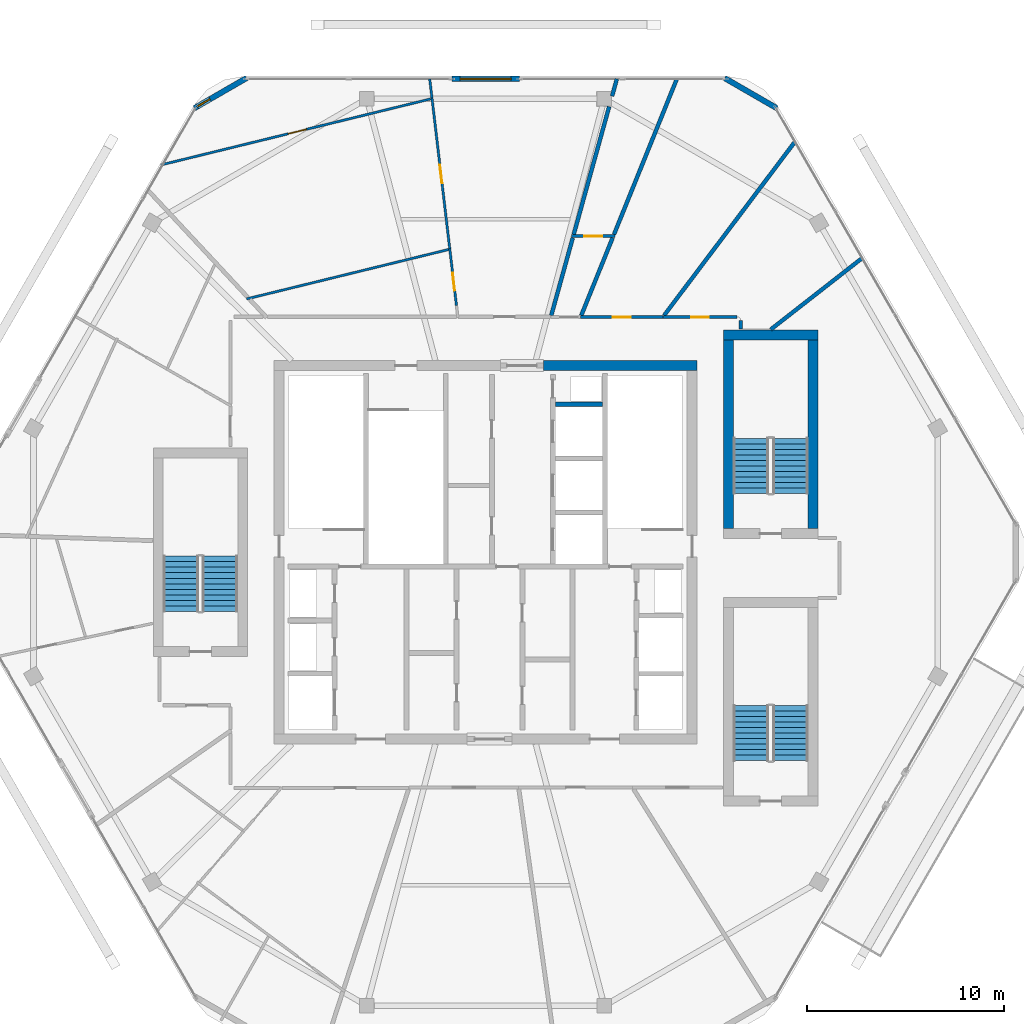
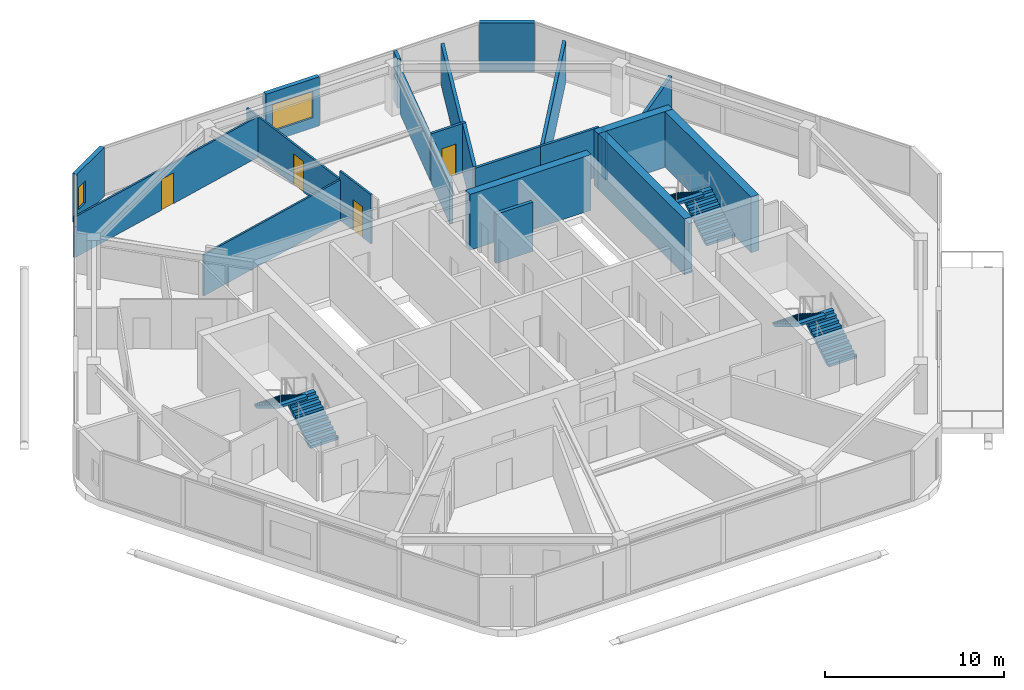
# One storey, part 19 of 22: 24 walls, 6 doors, 6 stair flights, 2 windows, 8 openings, 3 elements without a shape of their own.
"""IFC4 building model written with IfcOpenShell, lengths in metres."""

from ifc_helpers import new_model, si_unit, direction, frame, frame_2d, origin, place, context, subcontext, project, spatial, polyline, rectangle, outline, extrude, material, layer, layer_set, type_object, element, fill, aggregate, save


model = new_model("IFC4")

# Units and contexts
model_context = context("Model", 3, precision=1e-05, world=origin(), true_north=direction((0.0, 1.0)))
body_context = subcontext(model_context, "Body", "Model", "MODEL_VIEW")
ifc_project = project(units=[si_unit("LENGTHUNIT", "METRE"), si_unit("AREAUNIT", "SQUARE_METRE"), si_unit("VOLUMEUNIT", "CUBIC_METRE"), si_unit("PLANEANGLEUNIT", "RADIAN"), si_unit("MASSUNIT", "GRAM", prefix="KILO")], contexts=[model_context])

# Site, building, storey
site_placement = place(None, origin())
site = spatial("IfcSite", under=ifc_project, at=site_placement, CompositionType="ELEMENT")
building_placement = place(site_placement, origin())
building = spatial("IfcBuilding", under=site, at=building_placement, Name="Zuhravey Tower", CompositionType="ELEMENT")
storey_placement = place(building_placement, frame((0.0, 0.0, 357.60009765625)))
storey = spatial("IfcBuildingStorey", under=building, at=storey_placement, Name="L91", CompositionType="ELEMENT", Elevation=357.60009765625)

# Walls
ifc_material_1 = material(Name="Concrete C50/60", Category="concrete")
ifc_layer_1 = layer(ifc_material_1, 0.5)
ifc_layer_set_1 = layer_set([ifc_layer_1], Name="Concrete C50/60")
wall_type_1 = type_object("IfcWallType", Name="Core Shear Wall 500", PredefinedType="SHEAR", material=ifc_layer_set_1)
wall_1_placement = place(storey_placement, frame((46.75, 41.5, 0.0), z_axis=(0.0, 0.0, 1.0), x_axis=(-1.0, 0.0, 0.0)))
element("IfcWall", 1, at=wall_1_placement, inside=storey, type_object=wall_type_1, Name="L91 North-East Core Shear Wall CW50", PredefinedType="SHEAR", context=body_context, shape_type="SweptSolid", body=[
    extrude(rectangle(XDim=7.800048828125, YDim=0.5, at=frame_2d((3.89990234375, 0.0))), origin(), (0.0, 0.0, 1.0), 3.7998046875),
])
wall_2_placement = place(storey_placement, frame((52.89990234375, 43.050048828125, 0.0), z_axis=(0.0, 0.0, 1.0), x_axis=(-1.0, 0.0, 0.0)))
element("IfcWall", 2, at=wall_2_placement, inside=storey, type_object=wall_type_1, Name="L91 CST3 North Shaft Wall", PredefinedType="SHEAR", context=body_context, shape_type="SweptSolid", body=[
    extrude(rectangle(XDim=4.7998046875, YDim=0.5, at=frame_2d((2.39990234375, 0.0))), origin(), (0.0, 0.0, 1.0), 3.7998046875),
])
for number, where, z_axis, x_axis, name in (
    (3, (48.35009765625, 33.199951171875, 0.0), (0.0, 0.0, 1.0), (0.0, 1.0, 0.0), "L91 CST3 West Shaft Wall"),
    (4, (52.64990234375, 42.800048828125, 0.0), (0.0, 0.0, 1.0), (0.0, -1.0, 0.0), "L91 CST3 East Shaft Wall"),
):
    element("IfcWall", number, at=place(storey_placement, frame(where, z_axis=z_axis, x_axis=x_axis)), inside=storey, type_object=wall_type_1, Name=name, PredefinedType="SHEAR", context=body_context, shape_type="SweptSolid", body=[
        extrude(rectangle(XDim=9.60009765625, YDim=0.5, at=frame_2d((4.800048828125, 0.0))), origin(), (0.0, 0.0, 1.0), 3.7998046875),
    ])

# Wall, opening, door
ifc_material_2 = material(Name="Gypsum fire-rated stud partition")
ifc_layer_2 = layer(ifc_material_2, 0.159912109375)
ifc_layer_set_2 = layer_set([ifc_layer_2], Name="Gypsum fire-rated stud partition")
wall_type_2 = type_object("IfcWallType", Name="Corridor Fire Partition 160", PredefinedType="PARTITIONING", material=ifc_layer_set_2)
wall_3_placement = place(storey_placement, frame((48.800048828125, 43.9599609375, 0.0), z_axis=(0.0, 0.0, 1.0), x_axis=(-1.0, 0.0, 0.0)))
wall_3 = element("IfcWall", 5, at=wall_3_placement, inside=storey, type_object=wall_type_2, Name="L91 IW16 Partition 022", PredefinedType="PARTITIONING", context=body_context, shape_type="SweptSolid", body=[
    extrude(rectangle(XDim=3.78759765625, YDim=0.159912109375, at=frame_2d((1.893798828125, 0.0))), origin(), (0.0, 0.0, 1.0), 3.349853515625),
])
opening_1_placement = place(wall_3_placement, frame((1.443603515625, 0.0, 0.0)))
opening_1 = element("IfcOpeningElement", 6, at=opening_1_placement, cuts=wall_3, Name="Opening RSD1", PredefinedType="OPENING", context=body_context, shape_type="SweptSolid", body=[
    extrude(rectangle(XDim=0.89990234375, YDim=2.10009765625, at=frame_2d((0.449951171875, 1.050048828125))), frame((0.0, 0.092041015625, 0.0), z_axis=(0.0, -1.0, 0.0), x_axis=(1.0, 0.0, 0.0)), (0.0, 0.0, 1.0), 0.183837890625),
])
ifc_material_3 = material(Name="Galvanised fire-rated steel access leaf", Category="steel")
door_type_1 = type_object("IfcDoorType", Name="Riser & Shaft Access Fire Door 900x2100", OperationType="NOTDEFINED", PredefinedType="DOOR", material=ifc_material_3)
door_1_placement = place(opening_1_placement, frame((0.89990234375, 0.0, 0.0), z_axis=(0.0, 0.0, 1.0), x_axis=(-1.0, 0.0, 0.0)))
door_1 = element("IfcDoor", 7, at=door_1_placement, inside=storey, type_object=door_type_1, Name="L91 Door 022.1", OperationType="SINGLE_SWING_RIGHT", OverallHeight=2.10009765625, OverallWidth=0.89990234375, PredefinedType="DOOR", context=body_context, shape_type="SweptSolid", body=[
    extrude(rectangle(XDim=0.89990234375, YDim=2.10009765625, at=frame_2d((0.449951171875, 1.050048828125))), frame((0.0, 0.02490234375, 0.0), z_axis=(0.0, -1.0, 0.0), x_axis=(1.0, 0.0, 0.0)), (0.0, 0.0, 1.0), 0.050048828125),
])
fill(opening_1, door_1)

wall_4_placement = place(storey_placement, frame((45.012451171875, 43.9599609375, 0.0), z_axis=(0.0, 0.0, 1.0), x_axis=(-1.0, 0.0, 0.0)))
wall_4 = element("IfcWall", 8, at=wall_4_placement, inside=storey, type_object=wall_type_2, Name="L91 IW16 Partition 023", PredefinedType="PARTITIONING", context=body_context, shape_type="SweptSolid", body=[
    extrude(rectangle(XDim=4.18017578125, YDim=0.159912109375, at=frame_2d((2.090087890625, 0.0))), origin(), (0.0, 0.0, 1.0), 3.349853515625),
])
opening_2_placement = place(wall_4_placement, frame((1.64013671875, 0.0, 0.0)))
opening_2 = element("IfcOpeningElement", 9, at=opening_2_placement, cuts=wall_4, Name="Opening RSD1", PredefinedType="OPENING", context=body_context, shape_type="SweptSolid", body=[
    extrude(rectangle(XDim=0.89990234375, YDim=2.10009765625, at=frame_2d((0.449951171875, 1.050048828125))), frame((0.0, 0.092041015625, 0.0), z_axis=(0.0, -1.0, 0.0), x_axis=(1.0, 0.0, 0.0)), (0.0, 0.0, 1.0), 0.183837890625),
])
door_2_placement = place(opening_2_placement, frame((0.89990234375, 0.0, 0.0), z_axis=(0.0, 0.0, 1.0), x_axis=(-1.0, 0.0, 0.0)))
door_2 = element("IfcDoor", 10, at=door_2_placement, inside=storey, type_object=door_type_1, Name="L91 Door 023.1", OperationType="SINGLE_SWING_LEFT", OverallHeight=2.10009765625, OverallWidth=0.89990234375, PredefinedType="DOOR", context=body_context, shape_type="SweptSolid", body=[
    extrude(rectangle(XDim=0.89990234375, YDim=2.10009765625, at=frame_2d((0.449951171875, 1.050048828125))), frame((0.0, 0.02490234375, 0.0), z_axis=(0.0, -1.0, 0.0), x_axis=(1.0, 0.0, 0.0)), (0.0, 0.0, 1.0), 0.050048828125),
])
fill(opening_2, door_2)

wall_5_placement = place(storey_placement, frame((40.37646484375, 48.080078125, 0.0), z_axis=(0.0, 0.0, 1.0), x_axis=(1.0, 0.0, 0.0)))
wall_5 = element("IfcWall", 11, at=wall_5_placement, inside=storey, type_object=wall_type_2, Name="L91 IW16 Partition 024", PredefinedType="PARTITIONING", context=body_context, shape_type="SweptSolid", body=[
    extrude(rectangle(XDim=2.20654296875, YDim=0.159912109375, at=frame_2d((1.103271484375, 0.0))), origin(), (0.0, 0.0, 1.0), 3.349853515625),
])
opening_3_placement = place(wall_5_placement, frame((0.6533203125, 0.0, 0.0)))
opening_3 = element("IfcOpeningElement", 12, at=opening_3_placement, cuts=wall_5, Name="Opening RSD1", PredefinedType="OPENING", context=body_context, shape_type="SweptSolid", body=[
    extrude(rectangle(XDim=0.89990234375, YDim=2.10009765625, at=frame_2d((0.449951171875, 1.050048828125))), frame((0.0, 0.092041015625, 0.0), z_axis=(0.0, -1.0, 0.0), x_axis=(1.0, 0.0, 0.0)), (0.0, 0.0, 1.0), 0.183837890625),
])
door_3_placement = place(opening_3_placement, origin())
door_3 = element("IfcDoor", 13, at=door_3_placement, inside=storey, type_object=door_type_1, Name="L91 Door 024.1", OperationType="SINGLE_SWING_RIGHT", OverallHeight=2.10009765625, OverallWidth=0.89990234375, PredefinedType="DOOR", context=body_context, shape_type="SweptSolid", body=[
    extrude(rectangle(XDim=0.89990234375, YDim=2.10009765625, at=frame_2d((0.449951171875, 1.050048828125))), frame((0.0, 0.02490234375, 0.0), z_axis=(0.0, -1.0, 0.0), x_axis=(1.0, 0.0, 0.0)), (0.0, 0.0, 1.0), 0.050048828125),
])
fill(opening_3, door_3)

# Wall
wall_6_placement = place(storey_placement, frame((48.97998046875, 43.3701171875, 0.0), z_axis=(0.0, 0.0, 1.0), x_axis=(0.0, 1.0, 0.0)))
element("IfcWall", 14, at=wall_6_placement, inside=storey, type_object=wall_type_2, Name="L91 IW16 Partition 077", PredefinedType="PARTITIONING", context=body_context, shape_type="SweptSolid", body=[
    extrude(rectangle(XDim=0.429931640625, YDim=0.159912109375, at=frame_2d((0.21484375, 0.0))), origin(), (0.0, 0.0, 1.0), 3.349853515625),
])

# Wall, opening, window
ifc_material_4 = material(Name="Precast concrete C40/50", Category="concrete")
ifc_layer_3 = layer(ifc_material_4, 0.280029296875)
ifc_layer_set_3 = layer_set([ifc_layer_3], Name="Precast concrete C40/50")
wall_type_3 = type_object("IfcWallType", Name="Crown Architectural Wall 280", PredefinedType="SOLIDWALL", material=ifc_layer_set_3)
wall_7_placement = place(storey_placement, frame((21.188720703125, 54.589111328125, 0.0), z_axis=(0.0, 0.0, 1.0), x_axis=(0.866023752521, 0.50000286006, 0.0)))
wall_7 = element("IfcWall", 15, at=wall_7_placement, inside=storey, type_object=wall_type_3, Name="L91 Rounded Corner Closure Wall EW28-08", PredefinedType="SOLIDWALL", context=body_context, shape_type="SweptSolid", body=[
    extrude(rectangle(XDim=3.06494140625, YDim=0.280029296875, at=frame_2d((1.532470703125, 0.0))), origin(), (0.0, 0.0, 1.0), 3.349853515625),
])
opening_4_placement = place(wall_7_placement, frame((0.1728515625, 0.0, 0.85009765625)))
opening_4 = element("IfcOpeningElement", 16, at=opening_4_placement, cuts=wall_7, Name="Opening WN5", PredefinedType="OPENING", context=body_context, shape_type="SweptSolid", body=[
    extrude(rectangle(XDim=0.75, YDim=1.5, at=frame_2d((0.375, 0.75))), frame((0.0, 0.152099609375, 0.0), z_axis=(0.0, -1.0, 0.0), x_axis=(1.0, 0.0, 0.0)), (0.0, 0.0, 1.0), 0.303955078125),
])
ifc_material_5 = material(Name="Thermally broken aluminium and triple low-E glass", Category="aluminium")
window_type_1 = type_object("IfcWindowType", Name="Residential Corner Casement Window 750x1500", PartitioningType="SINGLE_PANEL", PredefinedType="WINDOW", material=ifc_material_5)
window_1_placement = place(opening_4_placement, origin())
window_1 = element("IfcWindow", 17, at=window_1_placement, inside=storey, type_object=window_type_1, Name="L91 Corner Casement Window WN5-08.1", OverallHeight=1.5, OverallWidth=0.75, PartitioningType="SINGLE_PANEL", PredefinedType="WINDOW", context=body_context, shape_type="SweptSolid", body=[
    extrude(rectangle(XDim=0.75, YDim=1.5, at=frame_2d((0.375, 0.75))), frame((0.0, 0.030029296875, 0.0), z_axis=(0.0, -1.0, 0.0), x_axis=(1.0, 0.0, 0.0)), (0.0, 0.0, 1.0), 0.06005859375),
])
fill(opening_4, window_1)

wall_8_placement = place(storey_placement, frame((34.280029296875, 56.07421875, 0.0), z_axis=(0.0, 0.0, 1.0), x_axis=(1.0, 0.0, 0.0)))
wall_8 = element("IfcWall", 18, at=wall_8_placement, inside=storey, type_object=wall_type_3, Name="L91 Face 2 Facade Pier EW28-1", PredefinedType="SOLIDWALL", context=body_context, shape_type="SweptSolid", body=[
    extrude(rectangle(XDim=3.43994140625, YDim=0.280029296875, at=frame_2d((1.719970703125, 0.0))), origin(), (0.0, 0.0, 1.0), 3.349853515625),
])
opening_5_placement = place(wall_8_placement, frame((0.419921875, 0.0, 0.699951171875)))
opening_5 = element("IfcOpeningElement", 19, at=opening_5_placement, cuts=wall_8, Name="Opening WN4", PredefinedType="OPENING", context=body_context, shape_type="SweptSolid", body=[
    extrude(rectangle(XDim=2.60009765625, YDim=1.800048828125, at=frame_2d((1.300048828125, 0.89990234375))), frame((0.0, 0.152099609375, 0.0), z_axis=(0.0, -1.0, 0.0), x_axis=(1.0, 0.0, 0.0)), (0.0, 0.0, 1.0), 0.303955078125),
])
window_type_2 = type_object("IfcWindowType", Name="Sky-Pool Observatory Window 2600x1800", PartitioningType="SINGLE_PANEL", PredefinedType="WINDOW", material=ifc_material_5)
window_2_placement = place(opening_5_placement, origin())
window_2 = element("IfcWindow", 20, at=window_2_placement, inside=storey, type_object=window_type_2, Name="L91 Face 2 Feature Window", OverallHeight=1.800048828125, OverallWidth=2.60009765625, PartitioningType="SINGLE_PANEL", PredefinedType="WINDOW", context=body_context, shape_type="SweptSolid", body=[
    extrude(rectangle(XDim=2.60009765625, YDim=1.800048828125, at=frame_2d((1.300048828125, 0.89990234375))), frame((0.0, 0.030029296875, 0.0), z_axis=(0.0, -1.0, 0.0), x_axis=(1.0, 0.0, 0.0)), (0.0, 0.0, 1.0), 0.06005859375),
])
fill(opening_5, window_2)

# Walls
wall_9_placement = place(storey_placement, frame((48.156982421875, 56.12158203125, 0.0), z_axis=(0.0, 0.0, 1.0), x_axis=(0.866023752521, -0.50000286006, 0.0)))
element("IfcWall", 21, at=wall_9_placement, inside=storey, type_object=wall_type_3, Name="L91 Rounded Corner Closure Wall EW28-10", PredefinedType="SOLIDWALL", context=body_context, shape_type="SweptSolid", body=[
    extrude(rectangle(XDim=3.06494140625, YDim=0.280029296875, at=frame_2d((1.532470703125, 0.0))), origin(), (0.0, 0.0, 1.0), 3.349853515625),
])
ifc_material_6 = material(Name="Gypsum double-stud party assembly")
ifc_layer_4 = layer(ifc_material_6, 0.199951171875)
ifc_layer_set_4 = layer_set([ifc_layer_4], Name="Gypsum double-stud party assembly")
wall_type_4 = type_object("IfcWallType", Name="Inter-Tenancy Party Wall 200", PredefinedType="PARTITIONING", material=ifc_layer_set_4)
wall_10_placement = place(storey_placement, frame((50.501708984375, 43.330078125, 0.0), z_axis=(0.0, 0.0, 1.0), x_axis=(0.788021867537, 0.615647249879, 0.0)))
element("IfcWall", 22, at=wall_10_placement, inside=storey, type_object=wall_type_4, Name="L91 IW20 Partition 051", PredefinedType="PARTITIONING", context=body_context, shape_type="SweptSolid", body=[
    extrude(rectangle(XDim=5.907470703125, YDim=0.199951171875, at=frame_2d((2.95361328125, 0.0))), origin(), (0.0, 0.0, 1.0), 2.77001953125),
])
wall_11_placement = place(storey_placement, frame((45.078857421875, 44.048095703125, 0.0), z_axis=(0.0, 0.0, 1.0), x_axis=(0.601830257004, 0.798624030288, 0.0)))
element("IfcWall", 23, at=wall_11_placement, inside=storey, type_object=wall_type_4, Name="L91 IW20 Partition 052", PredefinedType="PARTITIONING", context=body_context, shape_type="SweptSolid", body=[
    extrude(rectangle(XDim=11.0673828125, YDim=0.199951171875, at=frame_2d((5.53369140625, 0.0))), origin(), (0.0, 0.0, 1.0), 2.77001953125),
])
wall_12_placement = place(storey_placement, frame((40.86767578125, 44.048095703125, 0.0), z_axis=(0.0, 0.0, 1.0), x_axis=(0.374624373524, 0.927176670738, 0.0)))
element("IfcWall", 24, at=wall_12_placement, inside=storey, type_object=wall_type_4, Name="L91 IW20 Partition 053", PredefinedType="PARTITIONING", context=body_context, shape_type="SweptSolid", body=[
    extrude(rectangle(XDim=4.253662109375, YDim=0.199951171875, at=frame_2d((2.126953125, 0.0))), origin(), (0.0, 0.0, 1.0), 3.349853515625),
])
wall_13_placement = place(storey_placement, frame((42.5322265625, 48.16796875, 0.0), z_axis=(0.0, 0.0, 1.0), x_axis=(0.374606955292, 0.927183708359, 0.0)))
element("IfcWall", 25, at=wall_13_placement, inside=storey, type_object=wall_type_4, Name="L91 IW20 Partition 054", PredefinedType="PARTITIONING", context=body_context, shape_type="SweptSolid", body=[
    extrude(rectangle(XDim=8.527099609375, YDim=0.199951171875, at=frame_2d((4.263671875, 0.0))), origin(), (0.0, 0.0, 1.0), 2.77001953125),
])
wall_14_placement = place(storey_placement, frame((39.34130859375, 44.048095703125, 0.0), z_axis=(0.0, 0.0, 1.0), x_axis=(0.267243877392, 0.963628927542, 0.0)))
element("IfcWall", 26, at=wall_14_placement, inside=storey, type_object=wall_type_4, Name="L91 IW20 Partition 055", PredefinedType="PARTITIONING", context=body_context, shape_type="SweptSolid", body=[
    extrude(rectangle(XDim=4.0927734375, YDim=0.199951171875, at=frame_2d((2.04638671875, 0.0))), origin(), (0.0, 0.0, 1.0), 2.7998046875),
])
wall_15_placement = place(storey_placement, frame((40.48388671875, 48.16796875, 0.0), z_axis=(0.0, 0.0, 1.0), x_axis=(0.267208963636, 0.963638609517, 0.0)))
element("IfcWall", 27, at=wall_15_placement, inside=storey, type_object=wall_type_4, Name="L91 IW20 Partition 056", PredefinedType="PARTITIONING", context=body_context, shape_type="SweptSolid", body=[
    extrude(rectangle(XDim=6.74658203125, YDim=0.199951171875, at=frame_2d((3.373291015625, 0.0))), origin(), (0.0, 0.0, 1.0), 2.7998046875),
])
wall_16_placement = place(storey_placement, frame((42.43359375, 55.19921875, 0.0), z_axis=(0.0, 0.0, 1.0), x_axis=(0.267255561647, 0.963625687064, 0.0)))
element("IfcWall", 28, at=wall_16_placement, inside=storey, type_object=wall_type_4, Name="L91 IW20 Partition 057", PredefinedType="PARTITIONING", context=body_context, shape_type="SweptSolid", body=[
    extrude(rectangle(XDim=0.907958984375, YDim=0.199951171875, at=frame_2d((0.4541015625, 0.0))), origin(), (0.0, 0.0, 1.0), 3.349853515625),
])
ifc_material_7 = material(Name="Gypsum acoustic stud assembly")
ifc_layer_5 = layer(ifc_material_7, 0.219970703125)
ifc_layer_set_5 = layer_set([ifc_layer_5], Name="Gypsum acoustic stud assembly")
wall_type_5 = type_object("IfcWallType", Name="School Acoustic Compartment Wall 220", PredefinedType="PARTITIONING", material=ifc_layer_set_5)
wall_17_placement = place(storey_placement, frame((39.55810546875, 39.52490234375, 0.0), z_axis=(0.0, 0.0, 1.0), x_axis=(1.0, 0.0, 0.0)))
element("IfcWall", 29, at=wall_17_placement, inside=storey, type_object=wall_type_5, Name="L91 IW22 Partition 048", PredefinedType="PARTITIONING", context=body_context, shape_type="SweptSolid", body=[
    extrude(rectangle(XDim=2.3837890625, YDim=0.219970703125, at=frame_2d((1.19189453125, 0.0))), origin(), (0.0, 0.0, 1.0), 3.349853515625),
])

# Wall, opening, door
ifc_material_8 = material(Name="Gypsum metal-stud partition")
ifc_layer_6 = layer(ifc_material_8, 0.1201171875)
ifc_layer_set_6 = layer_set([ifc_layer_6], Name="Gypsum metal-stud partition")
wall_type_6 = type_object("IfcWallType", Name="Unit Internal Partition 120", PredefinedType="PARTITIONING", material=ifc_layer_set_6)
wall_18_placement = place(storey_placement, frame((34.51904296875, 44.550048828125, 0.0), z_axis=(0.0, 0.0, 1.0), x_axis=(-0.117167277632, 0.993112193588, 0.0)))
wall_18 = element("IfcWall", 30, at=wall_18_placement, inside=storey, type_object=wall_type_6, Name="L91 IW12 Partition 026", PredefinedType="PARTITIONING", context=body_context, shape_type="SweptSolid", body=[
    extrude(rectangle(XDim=2.910888671875, YDim=0.1201171875, at=frame_2d((1.45556640625, 0.0))), origin(), (0.0, 0.0, 1.0), 3.349853515625),
])
opening_6_placement = place(wall_18_placement, frame((0.772705078125, 0.0, 0.0)))
opening_6 = element("IfcOpeningElement", 31, at=opening_6_placement, cuts=wall_18, Name="Opening WCD1", PredefinedType="OPENING", context=body_context, shape_type="SweptSolid", body=[
    extrude(rectangle(XDim=0.89990234375, YDim=2.10009765625, at=frame_2d((0.449951171875, 1.050048828125))), frame((0.0, 0.072021484375, 0.0), z_axis=(0.0, -1.0, 0.0), x_axis=(1.0, 0.0, 0.0)), (0.0, 0.0, 1.0), 0.14404296875),
])
ifc_material_9 = material(Name="Moisture-resistant timber leaf", Category="wood")
door_type_2 = type_object("IfcDoorType", Name="Bathroom & WC Internal Door 900x2100", OperationType="NOTDEFINED", PredefinedType="DOOR", material=ifc_material_9)
door_4_placement = place(opening_6_placement, origin())
door_4 = element("IfcDoor", 32, at=door_4_placement, inside=storey, type_object=door_type_2, Name="Apartment L91-01 Bathroom Door", OperationType="SINGLE_SWING_RIGHT", OverallHeight=2.10009765625, OverallWidth=0.89990234375, PredefinedType="DOOR", context=body_context, shape_type="SweptSolid", body=[
    extrude(rectangle(XDim=0.89990234375, YDim=2.10009765625, at=frame_2d((0.449951171875, 1.050048828125))), frame((0.0, 0.02490234375, 0.0), z_axis=(0.0, -1.0, 0.0), x_axis=(1.0, 0.0, 0.0)), (0.0, 0.0, 1.0), 0.050048828125),
])
fill(opening_6, door_4)

wall_19_placement = place(storey_placement, frame((34.177978515625, 47.44091796875, 0.0), z_axis=(0.0, 0.0, 1.0), x_axis=(-0.11719932595, 0.993108412006, 0.0)))
wall_19 = element("IfcWall", 33, at=wall_19_placement, inside=storey, type_object=wall_type_6, Name="L91 IW12 Partition 027", PredefinedType="PARTITIONING", context=body_context, shape_type="SweptSolid", body=[
    extrude(rectangle(XDim=7.7138671875, YDim=0.1201171875, at=frame_2d((3.85693359375, 0.0))), origin(), (0.0, 0.0, 1.0), 2.77001953125),
])
opening_7_placement = place(wall_19_placement, frame((3.35693359375, 0.0, 0.0)))
opening_7 = element("IfcOpeningElement", 34, at=opening_7_placement, cuts=wall_19, Name="Opening IND1", PredefinedType="OPENING", context=body_context, shape_type="SweptSolid", body=[
    extrude(rectangle(XDim=0.949951171875, YDim=2.10009765625, at=frame_2d((0.47509765625, 1.050048828125))), frame((0.0, 0.072021484375, 0.0), z_axis=(0.0, -1.0, 0.0), x_axis=(1.0, 0.0, 0.0)), (0.0, 0.0, 1.0), 0.14404296875),
])
ifc_material_10 = material(Name="Painted engineered timber leaf", Category="wood")
door_type_3 = type_object("IfcDoorType", Name="Internal Room & Bedroom Door 950x2100", OperationType="NOTDEFINED", PredefinedType="DOOR", material=ifc_material_10)
door_5_placement = place(opening_7_placement, origin())
door_5 = element("IfcDoor", 35, at=door_5_placement, inside=storey, type_object=door_type_3, Name="Apartment L91-01 Home Office Door", OperationType="SINGLE_SWING_LEFT", OverallHeight=2.10009765625, OverallWidth=0.949951171875, PredefinedType="DOOR", context=body_context, shape_type="SweptSolid", body=[
    extrude(rectangle(XDim=0.949951171875, YDim=2.10009765625, at=frame_2d((0.47509765625, 1.050048828125))), frame((0.0, 0.02490234375, 0.0), z_axis=(0.0, -1.0, 0.0), x_axis=(1.0, 0.0, 0.0)), (0.0, 0.0, 1.0), 0.050048828125),
])
fill(opening_7, door_5)

wall_20_placement = place(storey_placement, frame((33.210205078125, 55.060302734375, 0.0), z_axis=(0.0, 0.0, 1.0), x_axis=(-0.971340795698, -0.237691099145, 0.0)))
wall_20 = element("IfcWall", 36, at=wall_20_placement, inside=storey, type_object=wall_type_6, Name="L91 IW12 Partition 028", PredefinedType="PARTITIONING", context=body_context, shape_type="SweptSolid", body=[
    extrude(rectangle(XDim=14.13134765625, YDim=0.1201171875, at=frame_2d((7.065673828125, 0.0))), origin(), (0.0, 0.0, 1.0), 2.77001953125),
])
opening_8_placement = place(wall_20_placement, frame((6.506103515625, 0.0, 0.0)))
opening_8 = element("IfcOpeningElement", 37, at=opening_8_placement, cuts=wall_20, Name="Opening IND1", PredefinedType="OPENING", context=body_context, shape_type="SweptSolid", body=[
    extrude(rectangle(XDim=0.949951171875, YDim=2.10009765625, at=frame_2d((0.47509765625, 1.050048828125))), frame((0.0, 0.072021484375, 0.0), z_axis=(0.0, -1.0, 0.0), x_axis=(1.0, 0.0, 0.0)), (0.0, 0.0, 1.0), 0.14404296875),
])
door_6_placement = place(opening_8_placement, frame((0.949951171875, 0.0, 0.0), z_axis=(0.0, 0.0, 1.0), x_axis=(-1.0, 0.0, 0.0)))
door_6 = element("IfcDoor", 38, at=door_6_placement, inside=storey, type_object=door_type_3, Name="Apartment L91-01 Bedroom 1 Door", OperationType="SINGLE_SWING_RIGHT", OverallHeight=2.10009765625, OverallWidth=0.949951171875, PredefinedType="DOOR", context=body_context, shape_type="SweptSolid", body=[
    extrude(rectangle(XDim=0.949951171875, YDim=2.10009765625, at=frame_2d((0.47509765625, 1.050048828125))), frame((0.0, 0.02490234375, 0.0), z_axis=(0.0, -1.0, 0.0), x_axis=(1.0, 0.0, 0.0)), (0.0, 0.0, 1.0), 0.050048828125),
])
fill(opening_8, door_6)

# Walls
wall_21_placement = place(storey_placement, frame((33.27392578125, 55.1015625, 0.0), z_axis=(0.0, 0.0, 1.0), x_axis=(-0.117071500169, 0.99312348872, 0.0)))
element("IfcWall", 39, at=wall_21_placement, inside=storey, type_object=wall_type_6, Name="L91 IW12 Partition 059", PredefinedType="PARTITIONING", context=body_context, shape_type="SweptSolid", body=[
    extrude(rectangle(XDim=0.984375, YDim=0.1201171875, at=frame_2d((0.4921875, 0.0))), origin(), (0.0, 0.0, 1.0), 2.77001953125),
])
wall_22_placement = place(storey_placement, frame((34.1142578125, 47.399658203125, 0.0), z_axis=(0.0, 0.0, 1.0), x_axis=(-0.97134085317, -0.237690864282, 0.0)))
element("IfcWall", 40, at=wall_22_placement, inside=storey, type_object=wall_type_6, Name="L91 IW12 Partition 060", PredefinedType="PARTITIONING", context=body_context, shape_type="SweptSolid", body=[
    extrude(rectangle(XDim=10.5712890625, YDim=0.1201171875, at=frame_2d((5.28564453125, 0.0))), origin(), (0.0, 0.0, 1.0), 2.7998046875),
])

# Stair, stair flights
ifc_material_11 = material(Name="Concrete C40/50", Category="concrete")
stair_type = type_object("IfcStairType", Name="Housing Storey Stair Assembly 3800", PredefinedType="HALF_TURN_STAIR", material=ifc_material_11)
stair_1_placement = place(storey_placement, origin())
stair_1 = element("IfcStair", 41, at=stair_1_placement, inside=storey, type_object=stair_type, Name="L91 West Crest Stair CST1", PredefinedType="HALF_TURN_STAIR")
stair_flight_type = type_object("IfcStairFlightType", Name="Housing Storey Stair Flight 3800", PredefinedType="STRAIGHT", material=ifc_material_11)
stair_flight_1_placement = place(storey_placement, frame((22.5, 29.0, 0.0), z_axis=(0.0, 0.0, 1.0), x_axis=(0.0, 1.0, 0.0)))
stair_flight_1 = element("IfcStairFlight", 42, at=stair_flight_1_placement, type_object=stair_flight_type, Name="CST1 flight 1", NumberOfRisers=11, NumberOfTreads=10, PredefinedType="STRAIGHT", RiserHeight=0.172727273, TreadLength=0.28, context=body_context, shape_type="SweptSolid", body=[
    extrude(outline(polyline([(0.0, 0.0), (0.0, 0.172607421875), (0.280029296875, 0.172607421875), (0.280029296875, 0.345458984375), (0.56005859375, 0.345458984375), (0.56005859375, 0.51806640625), (0.840087890625, 0.51806640625), (0.840087890625, 0.69091796875), (1.1201171875, 0.69091796875), (1.1201171875, 0.863525390625), (1.39990234375, 0.863525390625), (1.39990234375, 1.036376953125), (1.679931640625, 1.036376953125), (1.679931640625, 1.208984375), (1.9599609375, 1.208984375), (1.9599609375, 1.3818359375), (2.239990234375, 1.3818359375), (2.239990234375, 1.554443359375), (2.52001953125, 1.554443359375), (2.52001953125, 1.727294921875), (2.800048828125, 1.727294921875), (2.800048828125, 1.89990234375), (2.800048828125, 1.551025390625), (0.285400390625, 0.0), (0.0, 0.0)])), frame((0.0, 0.89990234375, 0.0), z_axis=(0.0, -1.0, 0.0), x_axis=(1.0, 0.0, 0.0)), (0.0, 0.0, 1.0), 1.800048828125),
])
stair_flight_2_placement = place(storey_placement, frame((20.5, 31.800048828125, 1.89990234375), z_axis=(0.0, 0.0, 1.0), x_axis=(0.0, -1.0, 0.0)))
stair_flight_2 = element("IfcStairFlight", 43, at=stair_flight_2_placement, type_object=stair_flight_type, Name="CST1 flight 2", NumberOfRisers=11, NumberOfTreads=10, PredefinedType="STRAIGHT", RiserHeight=0.172727273, TreadLength=0.28, context=body_context, shape_type="SweptSolid", body=[
    extrude(outline(polyline([(0.0, 0.0), (0.0, 0.172607421875), (0.280029296875, 0.172607421875), (0.280029296875, 0.345458984375), (0.56005859375, 0.345458984375), (0.56005859375, 0.51806640625), (0.840087890625, 0.51806640625), (0.840087890625, 0.69091796875), (1.1201171875, 0.69091796875), (1.1201171875, 0.863525390625), (1.39990234375, 0.863525390625), (1.39990234375, 1.036376953125), (1.679931640625, 1.036376953125), (1.679931640625, 1.208984375), (1.9599609375, 1.208984375), (1.9599609375, 1.3818359375), (2.239990234375, 1.3818359375), (2.239990234375, 1.554443359375), (2.52001953125, 1.554443359375), (2.52001953125, 1.727294921875), (2.800048828125, 1.727294921875), (2.800048828125, 1.89990234375), (2.800048828125, 1.551025390625), (0.285400390625, 0.0), (0.0, 0.0)])), frame((0.0, 0.89990234375, 0.0), z_axis=(0.0, -1.0, 0.0), x_axis=(1.0, 0.0, 0.0)), (0.0, 0.0, 1.0), 1.800048828125),
])
aggregate(stair_1, [stair_flight_1, stair_flight_2])

stair_2_placement = place(storey_placement, origin())
stair_2 = element("IfcStair", 44, at=stair_2_placement, inside=storey, type_object=stair_type, Name="L91 East Crest South Stair CST2", PredefinedType="HALF_TURN_STAIR")
stair_flight_3_placement = place(storey_placement, frame((51.5, 21.39990234375, 0.0), z_axis=(0.0, 0.0, 1.0), x_axis=(0.0, 1.0, 0.0)))
stair_flight_3 = element("IfcStairFlight", 45, at=stair_flight_3_placement, type_object=stair_flight_type, Name="CST2 flight 1", NumberOfRisers=11, NumberOfTreads=10, PredefinedType="STRAIGHT", RiserHeight=0.172727273, TreadLength=0.28, context=body_context, shape_type="SweptSolid", body=[
    extrude(outline(polyline([(0.0, 0.0), (0.0, 0.172607421875), (0.280029296875, 0.172607421875), (0.280029296875, 0.345458984375), (0.56005859375, 0.345458984375), (0.56005859375, 0.51806640625), (0.840087890625, 0.51806640625), (0.840087890625, 0.69091796875), (1.1201171875, 0.69091796875), (1.1201171875, 0.863525390625), (1.39990234375, 0.863525390625), (1.39990234375, 1.036376953125), (1.679931640625, 1.036376953125), (1.679931640625, 1.208984375), (1.9599609375, 1.208984375), (1.9599609375, 1.3818359375), (2.239990234375, 1.3818359375), (2.239990234375, 1.554443359375), (2.52001953125, 1.554443359375), (2.52001953125, 1.727294921875), (2.800048828125, 1.727294921875), (2.800048828125, 1.89990234375), (2.800048828125, 1.551025390625), (0.285400390625, 0.0), (0.0, 0.0)])), frame((0.0, 0.89990234375, 0.0), z_axis=(0.0, -1.0, 0.0), x_axis=(1.0, 0.0, 0.0)), (0.0, 0.0, 1.0), 1.800048828125),
])
stair_flight_4_placement = place(storey_placement, frame((49.5, 24.199951171875, 1.89990234375), z_axis=(0.0, 0.0, 1.0), x_axis=(0.0, -1.0, 0.0)))
stair_flight_4 = element("IfcStairFlight", 46, at=stair_flight_4_placement, type_object=stair_flight_type, Name="CST2 flight 2", NumberOfRisers=11, NumberOfTreads=10, PredefinedType="STRAIGHT", RiserHeight=0.172727273, TreadLength=0.28, context=body_context, shape_type="SweptSolid", body=[
    extrude(outline(polyline([(0.0, 0.0), (0.0, 0.172607421875), (0.280029296875, 0.172607421875), (0.280029296875, 0.345458984375), (0.56005859375, 0.345458984375), (0.56005859375, 0.51806640625), (0.840087890625, 0.51806640625), (0.840087890625, 0.69091796875), (1.1201171875, 0.69091796875), (1.1201171875, 0.863525390625), (1.39990234375, 0.863525390625), (1.39990234375, 1.036376953125), (1.679931640625, 1.036376953125), (1.679931640625, 1.208984375), (1.9599609375, 1.208984375), (1.9599609375, 1.3818359375), (2.239990234375, 1.3818359375), (2.239990234375, 1.554443359375), (2.52001953125, 1.554443359375), (2.52001953125, 1.727294921875), (2.800048828125, 1.727294921875), (2.800048828125, 1.89990234375), (2.800048828125, 1.551025390625), (0.285400390625, 0.0), (0.0, 0.0)])), frame((0.0, 0.89990234375, 0.0), z_axis=(0.0, -1.0, 0.0), x_axis=(1.0, 0.0, 0.0)), (0.0, 0.0, 1.0), 1.800048828125),
])
aggregate(stair_2, [stair_flight_3, stair_flight_4])

stair_3_placement = place(storey_placement, origin())
stair_3 = element("IfcStair", 47, at=stair_3_placement, inside=storey, type_object=stair_type, Name="L91 East Crest North Stair CST3", PredefinedType="HALF_TURN_STAIR")
stair_flight_5_placement = place(storey_placement, frame((51.5, 35.0, 0.0), z_axis=(0.0, 0.0, 1.0), x_axis=(0.0, 1.0, 0.0)))
stair_flight_5 = element("IfcStairFlight", 48, at=stair_flight_5_placement, type_object=stair_flight_type, Name="CST3 flight 1", NumberOfRisers=11, NumberOfTreads=10, PredefinedType="STRAIGHT", RiserHeight=0.172727273, TreadLength=0.28, context=body_context, shape_type="SweptSolid", body=[
    extrude(outline(polyline([(0.0, 0.0), (0.0, 0.172607421875), (0.280029296875, 0.172607421875), (0.280029296875, 0.345458984375), (0.56005859375, 0.345458984375), (0.56005859375, 0.51806640625), (0.840087890625, 0.51806640625), (0.840087890625, 0.69091796875), (1.1201171875, 0.69091796875), (1.1201171875, 0.863525390625), (1.39990234375, 0.863525390625), (1.39990234375, 1.036376953125), (1.679931640625, 1.036376953125), (1.679931640625, 1.208984375), (1.9599609375, 1.208984375), (1.9599609375, 1.3818359375), (2.239990234375, 1.3818359375), (2.239990234375, 1.554443359375), (2.52001953125, 1.554443359375), (2.52001953125, 1.727294921875), (2.800048828125, 1.727294921875), (2.800048828125, 1.89990234375), (2.800048828125, 1.551025390625), (0.285400390625, 0.0), (0.0, 0.0)])), frame((0.0, 0.89990234375, 0.0), z_axis=(0.0, -1.0, 0.0), x_axis=(1.0, 0.0, 0.0)), (0.0, 0.0, 1.0), 1.800048828125),
])
stair_flight_6_placement = place(storey_placement, frame((49.5, 37.800048828125, 1.89990234375), z_axis=(0.0, 0.0, 1.0), x_axis=(0.0, -1.0, 0.0)))
stair_flight_6 = element("IfcStairFlight", 49, at=stair_flight_6_placement, type_object=stair_flight_type, Name="CST3 flight 2", NumberOfRisers=11, NumberOfTreads=10, PredefinedType="STRAIGHT", RiserHeight=0.172727273, TreadLength=0.28, context=body_context, shape_type="SweptSolid", body=[
    extrude(outline(polyline([(0.0, 0.0), (0.0, 0.172607421875), (0.280029296875, 0.172607421875), (0.280029296875, 0.345458984375), (0.56005859375, 0.345458984375), (0.56005859375, 0.51806640625), (0.840087890625, 0.51806640625), (0.840087890625, 0.69091796875), (1.1201171875, 0.69091796875), (1.1201171875, 0.863525390625), (1.39990234375, 0.863525390625), (1.39990234375, 1.036376953125), (1.679931640625, 1.036376953125), (1.679931640625, 1.208984375), (1.9599609375, 1.208984375), (1.9599609375, 1.3818359375), (2.239990234375, 1.3818359375), (2.239990234375, 1.554443359375), (2.52001953125, 1.554443359375), (2.52001953125, 1.727294921875), (2.800048828125, 1.727294921875), (2.800048828125, 1.89990234375), (2.800048828125, 1.551025390625), (0.285400390625, 0.0), (0.0, 0.0)])), frame((0.0, 0.89990234375, 0.0), z_axis=(0.0, -1.0, 0.0), x_axis=(1.0, 0.0, 0.0)), (0.0, 0.0, 1.0), 1.800048828125),
])
aggregate(stair_3, [stair_flight_5, stair_flight_6])

save(model, "model.ifc")
